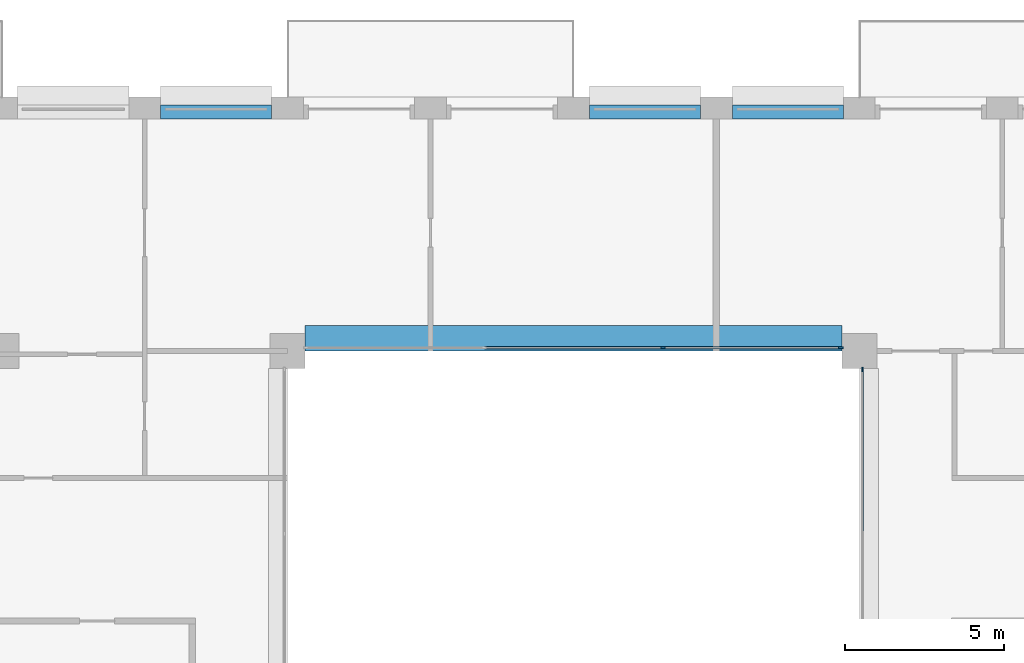
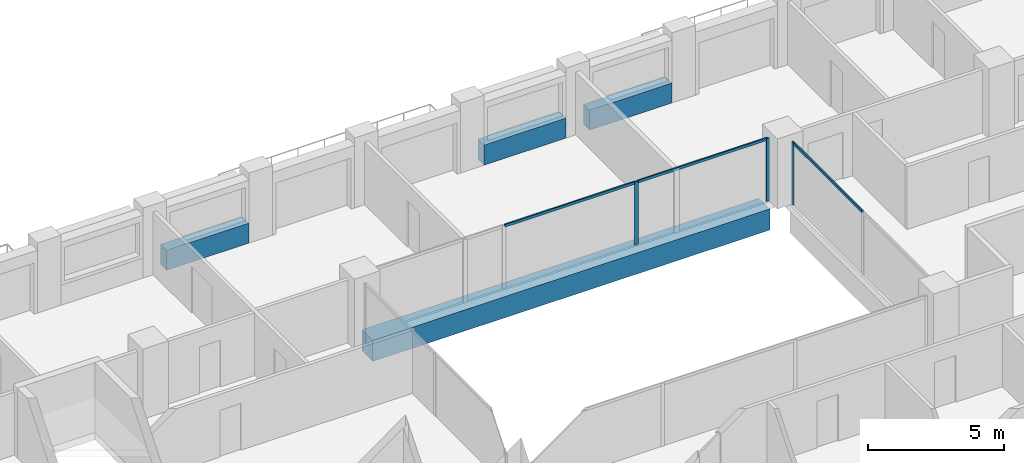
# One storey, part 6 of 15: 6 members, 4 beams, 2 elements without a shape of their own.
"""IFC4 building model written with IfcOpenShell, lengths in metres."""

from ifc_helpers import new_model, si_unit, direction, frame, origin, origin_2d, place, context, subcontext, project, spatial, rectangle, extrude, material, layer, layer_set, material_profile, profile_set, type_object, element, aggregate, save


model = new_model("IFC4")

# Units and contexts
model_context = context("Model", 3, precision=1e-05, world=origin(), true_north=direction((0.0, 1.0)))
body_context = subcontext(model_context, "Body", "Model", "MODEL_VIEW")
ifc_project = project(units=[si_unit("LENGTHUNIT", "METRE"), si_unit("AREAUNIT", "SQUARE_METRE"), si_unit("VOLUMEUNIT", "CUBIC_METRE"), si_unit("PLANEANGLEUNIT", "RADIAN"), si_unit("MASSUNIT", "GRAM", prefix="KILO")], contexts=[model_context])

# Site, building, storey
site_placement = place(None, origin())
site = spatial("IfcSite", under=ifc_project, at=site_placement, CompositionType="ELEMENT")
building_placement = place(site_placement, origin())
building = spatial("IfcBuilding", under=site, at=building_placement, Name="Brigalow Station Residences", CompositionType="ELEMENT")
storey_placement = place(building_placement, frame((0.0, 0.0, 150.75)))
storey = spatial("IfcBuildingStorey", under=building, at=storey_placement, Name="L43", CompositionType="ELEMENT", Elevation=150.75)

# Beam
ifc_material_1 = material(Name="Concrete C65", Category="concrete")
ifc_material_profile_1 = material_profile(ifc_material_1, rectangle(XDim=0.800048828125, YDim=0.949951171875, at=origin_2d()), Name="RC800x950")
ifc_profile_set_1 = profile_set([ifc_material_profile_1], Name="Concrete C65")
beam_type_1 = type_object("IfcBeamType", Name="ATRIUM EDGE GIRDER OVER 13.5 M SPAN 800x950 C65", PredefinedType="BEAM", material=ifc_profile_set_1)
beam_placement = place(storey_placement, frame((27.550048828125, 35.89990234375, -0.794921875), z_axis=(1.0, 0.0, 0.0), x_axis=(0.0, 1.0, 0.0)))
element("IfcBeam", 1, at=beam_placement, inside=storey, type_object=beam_type_1, Name="ATRIUM EDGE GIRDER D L43", PredefinedType="BEAM", context=body_context, shape_type="SweptSolid", body=[
    extrude(rectangle(XDim=0.800048828125, YDim=0.949951171875, at=origin_2d()), origin(), (0.0, 0.0, 1.0), 16.89990234375),
])

# Curtain wall, member
ifc_material_2 = material(Name="Aluminium", Category="aluminium")
ifc_layer = layer(ifc_material_2, 0.14990234375)
ifc_layer_set = layer_set([ifc_layer], Name="ATRIUM FIRE-RATED GLAZING CURTAIN WALL")
curtain_wall_type = type_object("IfcCurtainWallType", Name="ATRIUM FIRE-RATED GLAZING CURTAIN WALL", PredefinedType="NOTDEFINED", material=ifc_layer_set)
curtain_wall_1_placement = place(storey_placement, origin())
curtain_wall_1 = element("IfcCurtainWall", 2, at=curtain_wall_1_placement, inside=storey, type_object=curtain_wall_type, Name="L43/cw/atrium-E", PredefinedType="NOTDEFINED")
ifc_material_3 = material(Name="Aluminium", Category="aluminium")
ifc_material_profile_2 = material_profile(ifc_material_3, rectangle(XDim=0.06005859375, YDim=0.14990234375, at=origin_2d()), Name="ATRIUM FIRE-RATED GLAZING MULLION 60x150")
ifc_profile_set_2 = profile_set([ifc_material_profile_2], Name="Aluminium")
member_type_1 = type_object("IfcMemberType", Name="ATRIUM FIRE-RATED GLAZING MULLION 60x150", PredefinedType="MULLION", material=ifc_profile_set_2)
member_1_placement = place(storey_placement, frame((45.10009765625, 34.919921875, 0.0), z_axis=(0.0, 0.0, 1.0), x_axis=(-1.0, 0.0, 0.0)))
member_1 = element("IfcMember", 3, at=member_1_placement, type_object=member_type_1, Name="L43/cw/atrium-E/M02", PredefinedType="MULLION", context=body_context, shape_type="SweptSolid", body=[
    extrude(rectangle(XDim=0.06005859375, YDim=0.14990234375, at=origin_2d()), origin(), (0.0, 0.0, 1.0), 2.830078125),
])

# Curtain wall, members
curtain_wall_2_placement = place(storey_placement, origin())
curtain_wall_2 = element("IfcCurtainWall", 4, at=curtain_wall_2_placement, inside=storey, type_object=curtain_wall_type, Name="L43/cw/atrium-N", PredefinedType="NOTDEFINED")
member_2_placement = place(storey_placement, frame((44.419921875, 35.60009765625, 0.0), z_axis=(0.0, 0.0, 1.0), x_axis=(0.0, -1.0, 0.0)))
member_2 = element("IfcMember", 5, at=member_2_placement, type_object=member_type_1, Name="L43/cw/atrium-N/M00", PredefinedType="MULLION", context=body_context, shape_type="SweptSolid", body=[
    extrude(rectangle(XDim=0.06005859375, YDim=0.14990234375, at=origin_2d()), origin(), (0.0, 0.0, 1.0), 2.830078125),
])
member_3_placement = place(storey_placement, frame((38.816650390625, 35.60009765625, 0.0), z_axis=(0.0, 0.0, 1.0), x_axis=(0.0, -1.0, 0.0)))
member_3 = element("IfcMember", 6, at=member_3_placement, type_object=member_type_1, Name="L43/cw/atrium-N/M01", PredefinedType="MULLION", context=body_context, shape_type="SweptSolid", body=[
    extrude(rectangle(XDim=0.06005859375, YDim=0.14990234375, at=origin_2d()), origin(), (0.0, 0.0, 1.0), 2.830078125),
])

# Member
ifc_material_4 = material(Name="Aluminium", Category="aluminium")
ifc_material_profile_3 = material_profile(ifc_material_4, rectangle(XDim=0.06005859375, YDim=0.1201171875, at=origin_2d()), Name="ATRIUM FIRE-RATED GLAZING TRANSOM 60x120")
ifc_profile_set_3 = profile_set([ifc_material_profile_3], Name="Aluminium")
member_type_2 = type_object("IfcMemberType", Name="ATRIUM FIRE-RATED GLAZING TRANSOM 60x120", PredefinedType="USERDEFINED", material=ifc_profile_set_3)
member_4_placement = place(storey_placement, frame((45.10009765625, 29.780029296875, 2.800048828125), z_axis=(0.0, 1.0, 0.0), x_axis=(-1.0, 0.0, 0.0)))
member_4 = element("IfcMember", 7, at=member_4_placement, type_object=member_type_2, Name="L43/cw/atrium-E/T01-00", ObjectType="TRANSOM", PredefinedType="USERDEFINED", context=body_context, shape_type="SweptSolid", body=[
    extrude(rectangle(XDim=0.06005859375, YDim=0.1201171875, at=origin_2d()), origin(), (0.0, 0.0, 1.0), 5.10986328125),
])

aggregate(curtain_wall_1, [member_1, member_4])

member_5_placement = place(storey_placement, frame((44.389892578125, 35.60009765625, 2.800048828125), z_axis=(-1.0, 0.0, 0.0), x_axis=(0.0, -1.0, 0.0)))
member_5 = element("IfcMember", 8, at=member_5_placement, type_object=member_type_2, Name="L43/cw/atrium-N/T00-00", ObjectType="TRANSOM", PredefinedType="USERDEFINED", context=body_context, shape_type="SweptSolid", body=[
    extrude(rectangle(XDim=0.06005859375, YDim=0.1201171875, at=origin_2d()), origin(), (0.0, 0.0, 1.0), 5.543212890625),
])

member_6_placement = place(storey_placement, frame((38.78662109375, 35.60009765625, 2.800048828125), z_axis=(-1.0, 0.0, 0.0), x_axis=(0.0, -1.0, 0.0)))
member_6 = element("IfcMember", 9, at=member_6_placement, type_object=member_type_2, Name="L43/cw/atrium-N/T01-00", ObjectType="TRANSOM", PredefinedType="USERDEFINED", context=body_context, shape_type="SweptSolid", body=[
    extrude(rectangle(XDim=0.06005859375, YDim=0.1201171875, at=origin_2d()), origin(), (0.0, 0.0, 1.0), 5.5732421875),
])

aggregate(curtain_wall_2, [member_2, member_3, member_5, member_6])

# Beams
ifc_material_5 = material(Name="Concrete C50", Category="concrete")
ifc_material_profile_4 = material_profile(ifc_material_5, rectangle(XDim=0.449951171875, YDim=0.89990234375, at=origin_2d()), Name="RC450x900")
ifc_profile_set_4 = profile_set([ifc_material_profile_4], Name="Concrete C50")
beam_type_2 = type_object("IfcBeamType", Name="SPANDREL BEAM 450x900 C50", PredefinedType="SPANDREL", material=ifc_profile_set_4)
for number, where, z_axis, x_axis, name in (
    (10, (44.5, 43.02490234375, 0.449951171875), (-1.0, 0.0, 0.0), (0.0, -1.0, 0.0), "L43/spandrel/W-L43-27"),
    (11, (40.0, 43.02490234375, 0.449951171875), (-1.0, 0.0, 0.0), (0.0, -1.0, 0.0), "L43/spandrel/W-L43-28"),
    (12, (26.5, 43.02490234375, 0.449951171875), (-1.0, 0.0, 0.0), (0.0, -1.0, 0.0), "L43/spandrel/W-L43-31"),
):
    element("IfcBeam", number, at=place(storey_placement, frame(where, z_axis=z_axis, x_axis=x_axis)), inside=storey, type_object=beam_type_2, Name=name, PredefinedType="SPANDREL", context=body_context, shape_type="SweptSolid", body=[
        extrude(rectangle(XDim=0.449951171875, YDim=0.89990234375, at=origin_2d()), origin(), (0.0, 0.0, 1.0), 3.5),
    ])

save(model, "model.ifc")
